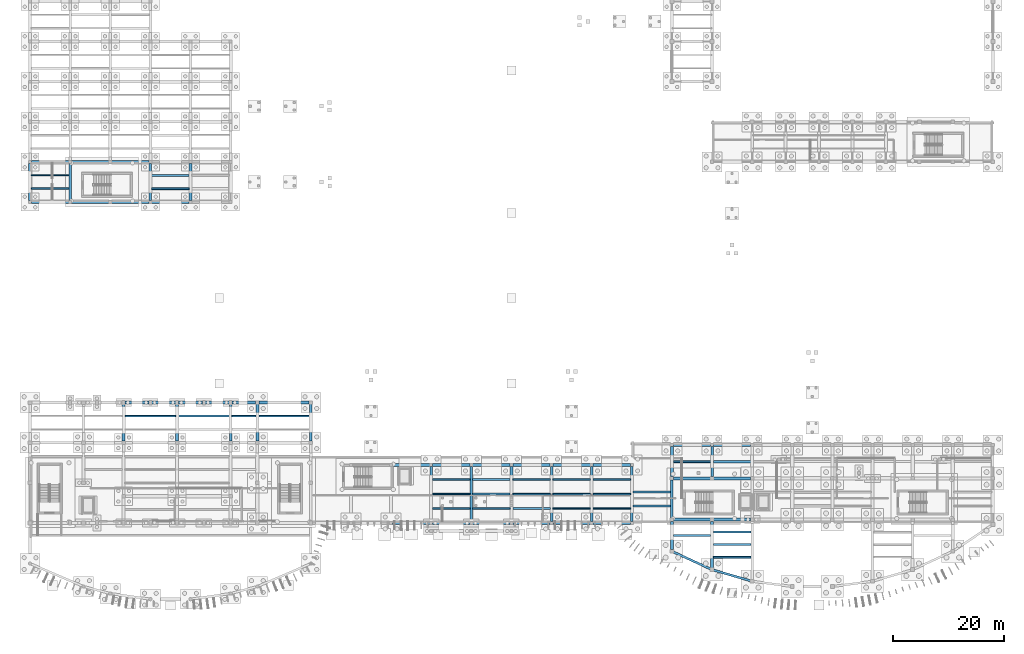
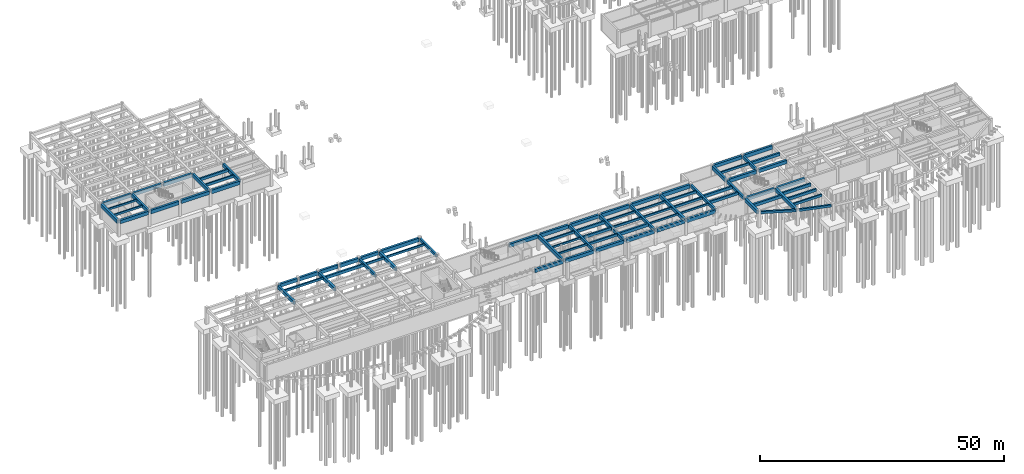
# One storey, part 12 of 31: 84 beams.
"""IFC4 building model written with IfcOpenShell, lengths in metres."""

import ifcopenshell
import ifcopenshell.guid

model = None  # the IFC model being written
_history = None  # IfcOwnerHistory: only IFC2X3 demands one
_inside = {}  # id of a spatial element -> (the spatial element, [elements in it])
_under = {}  # id of a project, library or spatial element -> (it, [spatial elements below it])
_declared = {}  # id of a project -> (the project, [libraries it declares])
_typed = {}  # id of a type object -> (the type object, [elements of that type])
_made_of = {}  # id of a material, layer set ... -> (it, [elements and type objects made of it])


def new_model(schema):
    """Start an empty IFC model of exactly this schema.

    Asked for "IFC4X3", IfcOpenShell would pick the latest addendum, in which some entities
    have other attributes; the version numbers below select the first issue.
    IFC2X3 requires an IfcOwnerHistory on every rooted entity: one is made here for all.
    """
    global model, _history
    if schema == "IFC4X3":
        model = ifcopenshell.file(schema_version=(4, 3, 0, 0))
    else:
        model = ifcopenshell.file(schema=schema)
    _inside.clear()
    _under.clear()
    _declared.clear()
    _typed.clear()
    _made_of.clear()
    _history = None
    if model.schema == "IFC2X3":
        org = make("IfcOrganization", Name="unknown")
        user = make(
            "IfcPersonAndOrganization",
            ThePerson=make("IfcPerson", FamilyName="unknown"),
            TheOrganization=org,
        )
        app = make(
            "IfcApplication",
            ApplicationDeveloper=org,
            Version="unknown",
            ApplicationFullName="unknown",
            ApplicationIdentifier="unknown",
        )
        _history = make(
            "IfcOwnerHistory",
            OwningUser=user,
            OwningApplication=app,
            ChangeAction="ADDED",
            CreationDate=0,
        )
    return model


def make(cls, **values):
    """One entity of the class cls with the attributes given. An attribute that is None is left unset."""
    return model.create_entity(
        cls, **{name: value for name, value in values.items() if value is not None}
    )


def rooted(cls, **values):
    """An entity with a GlobalId (a new one), such as an element, a storey or a relation."""
    return make(cls, GlobalId=ifcopenshell.guid.new(), OwnerHistory=_history, **values)


def si_unit(unit_type, name, prefix=None):
    """IfcSIUnit, for example si_unit("LENGTHUNIT", "METRE", prefix="MILLI")."""
    return make("IfcSIUnit", UnitType=unit_type, Prefix=prefix, Name=name)


def assignment(units):
    """IfcUnitAssignment: the units of a project."""
    return None if units is None else make("IfcUnitAssignment", Units=units)


def point(xyz):
    """IfcCartesianPoint."""
    return None if xyz is None else make("IfcCartesianPoint", Coordinates=xyz)


def direction(xyz):
    """IfcDirection."""
    return None if xyz is None else make("IfcDirection", DirectionRatios=xyz)


def frame(location, z_axis=None, x_axis=None):
    """IfcAxis2Placement3D, a coordinate frame: its origin and axes. An axis left out is left unset."""
    return make(
        "IfcAxis2Placement3D",
        Location=point(location),
        Axis=direction(z_axis),
        RefDirection=direction(x_axis),
    )


def frame_2d(location, x_axis=None):
    """IfcAxis2Placement2D, a coordinate frame in the plane: its origin and x axis."""
    return make(
        "IfcAxis2Placement2D", Location=point(location), RefDirection=direction(x_axis)
    )


def origin():
    """The frame at (0, 0, 0) with its axes left unset."""
    return frame((0.0, 0.0, 0.0))


def origin_2d():
    """The frame at (0, 0) in the plane with its x axis left unset."""
    return frame_2d((0.0, 0.0))


def place(relative_to, where):
    """IfcLocalPlacement: puts the frame where relative to a parent placement (None: the world)."""
    return make(
        "IfcLocalPlacement", PlacementRelTo=relative_to, RelativePlacement=where
    )


def context(
    kind, dimensions, precision=None, world=None, true_north=None, identifier=None
):
    """IfcGeometricRepresentationContext, for example the 3D "Model" context."""
    return make(
        "IfcGeometricRepresentationContext",
        ContextIdentifier=identifier,
        ContextType=kind,
        CoordinateSpaceDimension=dimensions,
        Precision=precision,
        WorldCoordinateSystem=world,
        TrueNorth=true_north,
    )


def subcontext(parent, identifier, kind, view, scale=None):
    """IfcGeometricRepresentationSubContext, for example "Body" below "Model"."""
    return make(
        "IfcGeometricRepresentationSubContext",
        ContextIdentifier=identifier,
        ContextType=kind,
        ParentContext=parent,
        TargetScale=scale,
        TargetView=view,
    )


def project(units=None, contexts=None):
    """IfcProject with its units and contexts."""
    return rooted(
        "IfcProject",
        Name="project",
        RepresentationContexts=contexts,
        UnitsInContext=assignment(units),
    )


def spatial(cls, under=None, at=None, **own):
    """A site, building, storey or space (cls), placed at a placement, below another one or the project."""
    s = rooted(cls, ObjectPlacement=at, **own)
    if under is not None:
        _under.setdefault(under.id(), (under, []))[1].append(s)
    return s


def profile(cls, at=None, kind="AREA", **sizes):
    """A parametric profile (cls). Its sizes go by their IFC names, for example OverallWidth=200.0."""
    return make(cls, ProfileType=kind, Position=at, **sizes)


def rectangle(**sizes):
    """IfcRectangleProfileDef."""
    return profile("IfcRectangleProfileDef", **sizes)


def extrude(swept, where, along, depth):
    """IfcExtrudedAreaSolid: the profile swept, set in the frame where, extruded along a direction by depth."""
    return make(
        "IfcExtrudedAreaSolid",
        SweptArea=swept,
        Position=where,
        ExtrudedDirection=direction(along),
        Depth=depth,
    )


def shape(context_of_items, identifier, shape_type, items):
    """IfcShapeRepresentation: the items that make up one representation, for example the "Body"."""
    return make(
        "IfcShapeRepresentation",
        ContextOfItems=context_of_items,
        RepresentationIdentifier=identifier,
        RepresentationType=shape_type,
        Items=items,
    )


def material(Name=None, Category=None):
    """IfcMaterial."""
    return make("IfcMaterial", Name=Name, Category=Category)


def material_profile(
    of_material, cross_section, Name=None, Category=None, Priority=None
):
    """IfcMaterialProfile: a cross section and its material."""
    return make(
        "IfcMaterialProfile",
        Name=Name,
        Material=of_material,
        Profile=cross_section,
        Priority=Priority,
        Category=Category,
    )


def profile_set(profiles, Name=None, composite=None):
    """IfcMaterialProfileSet."""
    return make(
        "IfcMaterialProfileSet",
        Name=Name,
        MaterialProfiles=profiles,
        CompositeProfile=composite,
    )


def made_of(thing, what):
    """Note that an element or type object is made of a material, layer set ...; save() writes the relation."""
    if what is not None:
        _made_of.setdefault(what.id(), (what, []))[1].append(thing)
    return thing


def type_object(cls, material=None, **own):
    """A type object (cls), such as IfcWallType, which elements share."""
    return made_of(rooted(cls, **own), material)


def element(
    cls,
    number,
    at=None,
    inside=None,
    cuts=None,
    type_object=None,
    material=None,
    context=None,
    identifier="Body",
    shape_type=None,
    held_by="IfcProductDefinitionShape",
    body=None,
    shapes=None,
    **own,
):
    """One element of the class cls, such as IfcWall. Its Tag is "e" and its number.

    at: its placement. inside: the storey or other place that contains it. cuts: it is an
    opening in that element (IfcRelVoidsElement). A single representation is given by context,
    identifier, shape_type and body (its items); several are given by shapes. held_by: the class
    of the entity that holds the representations. save() writes the other relations.
    """
    e = rooted(cls, Tag="e%d" % number, ObjectPlacement=at, **own)
    if body is not None:
        shapes = [shape(context, identifier, shape_type, body)]
    if shapes is not None:
        e.Representation = make(held_by, Representations=shapes)
    if inside is not None:
        _inside.setdefault(inside.id(), (inside, []))[1].append(e)
    if cuts is not None:
        rooted(
            "IfcRelVoidsElement", RelatingBuildingElement=cuts, RelatedOpeningElement=e
        )
    if type_object is not None:
        _typed.setdefault(type_object.id(), (type_object, []))[1].append(e)
    return made_of(e, material)


def aggregate(whole, parts):
    """IfcRelAggregates: a whole, such as a stair, and the parts it consists of."""
    return rooted("IfcRelAggregates", RelatingObject=whole, RelatedObjects=parts)


def save(model, path):
    """Write the relations noted so far, then the file.

    IfcRelAggregates (storeys below a building ...), IfcRelContainedInSpatialStructure (elements
    in a storey), IfcRelDefinesByType, IfcRelAssociatesMaterial and IfcRelDeclares: one each for
    every whole, place, type object, material and project.
    """
    for whole, parts in _under.values():
        aggregate(whole, parts)
    for where, things in _inside.values():
        rooted(
            "IfcRelContainedInSpatialStructure",
            RelatedElements=things,
            RelatingStructure=where,
        )
    for kind, things in _typed.values():
        rooted("IfcRelDefinesByType", RelatedObjects=things, RelatingType=kind)
    for what, things in _made_of.values():
        rooted("IfcRelAssociatesMaterial", RelatedObjects=things, RelatingMaterial=what)
    for by, libraries in _declared.values():
        rooted("IfcRelDeclares", RelatingContext=by, RelatedDefinitions=libraries)
    model.write(path)


model = new_model("IFC4")

# Units and contexts
model_context = context("Model", 3, precision=1e-05, world=origin(), true_north=direction((0.0, 1.0)))
body_context = subcontext(model_context, "Body", "Model", "MODEL_VIEW")
ifc_project = project(units=[si_unit("LENGTHUNIT", "METRE"), si_unit("AREAUNIT", "SQUARE_METRE"), si_unit("VOLUMEUNIT", "CUBIC_METRE"), si_unit("PLANEANGLEUNIT", "RADIAN"), si_unit("MASSUNIT", "GRAM", prefix="KILO")], contexts=[model_context])

# Site, building, storey
site_placement = place(None, origin())
site = spatial("IfcSite", under=ifc_project, at=site_placement, CompositionType="ELEMENT")
building_placement = place(site_placement, origin())
building = spatial("IfcBuilding", under=site, at=building_placement, Name="Brisavento Harbour Community Centre", CompositionType="ELEMENT")
storey_placement = place(building_placement, frame((0.0, 0.0, -4.199951171875)))
storey = spatial("IfcBuildingStorey", under=building, at=storey_placement, Name="B1", CompositionType="ELEMENT", Elevation=-4.199951171875)

# Beams
ifc_material = material(Name="Concrete C35/45", Category="concrete")
ifc_material_profile_1 = material_profile(ifc_material, rectangle(XDim=0.25, YDim=0.449951171875, at=origin_2d()), Name="Concrete C35/45")
ifc_profile_set_1 = profile_set([ifc_material_profile_1], Name="Concrete C35/45")
beam_type_1 = type_object("IfcBeamType", Name="BM-JST-250x450", PredefinedType="JOIST", material=ifc_profile_set_1)
beam_1_placement = place(storey_placement, frame((93.824951171875, 17.0, 3.695068359375), z_axis=(1.0, 0.0, 0.0), x_axis=(0.0, 1.0, 0.0)))
element("IfcBeam", 1, at=beam_1_placement, inside=storey, type_object=beam_type_1, Name="B1 secondary floor joist 0079", PredefinedType="JOIST", context=body_context, shape_type="SweptSolid", body=[
    extrude(rectangle(XDim=0.25, YDim=0.449951171875, at=origin_2d()), origin(), (0.0, 0.0, 1.0), 6.72509765625),
])
ifc_material_profile_2 = material_profile(ifc_material, rectangle(XDim=0.260009765625, YDim=0.4599609375, at=origin_2d()), Name="Concrete C35/45")
ifc_profile_set_2 = profile_set([ifc_material_profile_2], Name="Concrete C35/45")
beam_type_2 = type_object("IfcBeamType", Name="BM-JST-260x460", PredefinedType="JOIST", material=ifc_profile_set_2)
for number, where, z_axis, x_axis, name in (
    (2, (0.25, 76.800048828125, 3.68994140625), (1.0, 0.0, 0.0), (0.0, 1.0, 0.0), "B1 secondary floor joist 0005"),
    (3, (72.25, 19.60009765625, 3.68994140625), (1.0, 0.0, 0.0), (0.0, 1.0, 0.0), "B1 secondary floor joist 0071"),
):
    element("IfcBeam", number, at=place(storey_placement, frame(where, z_axis=z_axis, x_axis=x_axis)), inside=storey, type_object=beam_type_2, Name=name, PredefinedType="JOIST", context=body_context, shape_type="SweptSolid", body=[
        extrude(rectangle(XDim=0.260009765625, YDim=0.4599609375, at=origin_2d()), origin(), (0.0, 0.0, 1.0), 6.72509765625),
    ])
beam_2_placement = place(storey_placement, frame((101.050048828125, 17.0, 3.68994140625), z_axis=(1.0, 0.0, 0.0), x_axis=(0.0, 1.0, 0.0)))
element("IfcBeam", 4, at=beam_2_placement, inside=storey, type_object=beam_type_2, Name="B1 secondary floor joist 0082", PredefinedType="JOIST", context=body_context, shape_type="SweptSolid", body=[
    extrude(rectangle(XDim=0.260009765625, YDim=0.4599609375, at=origin_2d()), origin(), (0.0, 0.0, 1.0), 6.724853515625),
])
ifc_material_profile_3 = material_profile(ifc_material, rectangle(XDim=0.280029296875, YDim=0.47998046875, at=origin_2d()), Name="Concrete C35/45")
ifc_profile_set_3 = profile_set([ifc_material_profile_3], Name="Concrete C35/45")
beam_type_3 = type_object("IfcBeamType", Name="BM-JST-280x480", PredefinedType="JOIST", material=ifc_profile_set_3)
for number, where, z_axis, x_axis, name in (
    (5, (0.25, 74.39990234375, 3.679931640625), (1.0, 0.0, 0.0), (0.0, 1.0, 0.0), "B1 secondary floor joist 0004"),
    (6, (72.25, 17.0, 3.679931640625), (1.0, 0.0, 0.0), (0.0, 1.0, 0.0), "B1 secondary floor joist 0070"),
    (7, (93.824951171875, 22.199951171875, 3.679931640625), (1.0, 0.0, 0.0), (0.0, 1.0, 0.0), "B1 secondary floor joist 0081"),
):
    element("IfcBeam", number, at=place(storey_placement, frame(where, z_axis=z_axis, x_axis=x_axis)), inside=storey, type_object=beam_type_3, Name=name, PredefinedType="JOIST", context=body_context, shape_type="SweptSolid", body=[
        extrude(rectangle(XDim=0.280029296875, YDim=0.47998046875, at=origin_2d()), origin(), (0.0, 0.0, 1.0), 6.72509765625),
    ])
ifc_material_profile_4 = material_profile(ifc_material, rectangle(XDim=0.280029296875, YDim=0.52001953125, at=origin_2d()), Name="Concrete C35/45")
ifc_profile_set_4 = profile_set([ifc_material_profile_4], Name="Concrete C35/45")
beam_type_4 = type_object("IfcBeamType", Name="BM-JST-280x520", PredefinedType="JOIST", material=ifc_profile_set_4)
beam_3_placement = place(storey_placement, frame((41.050048828125, 33.60009765625, 3.659912109375), z_axis=(1.0, 0.0, 0.0), x_axis=(0.0, 1.0, 0.0)))
element("IfcBeam", 8, at=beam_3_placement, inside=storey, type_object=beam_type_4, Name="B1 secondary floor joist 0069", PredefinedType="JOIST", context=body_context, shape_type="SweptSolid", body=[
    extrude(rectangle(XDim=0.280029296875, YDim=0.52001953125, at=origin_2d()), origin(), (0.0, 0.0, 1.0), 9.125),
])
beam_4_placement = place(storey_placement, frame((93.824951171875, 19.60009765625, 3.659912109375), z_axis=(1.0, 0.0, 0.0), x_axis=(0.0, 1.0, 0.0)))
element("IfcBeam", 9, at=beam_4_placement, inside=storey, type_object=beam_type_4, Name="B1 secondary floor joist 0080", PredefinedType="JOIST", context=body_context, shape_type="SweptSolid", body=[
    extrude(rectangle(XDim=0.280029296875, YDim=0.52001953125, at=origin_2d()), origin(), (0.0, 0.0, 1.0), 6.72509765625),
])
ifc_material_profile_5 = material_profile(ifc_material, rectangle(XDim=0.300048828125, YDim=0.5, at=origin_2d()), Name="Concrete C35/45")
ifc_profile_set_5 = profile_set([ifc_material_profile_5], Name="Concrete C35/45")
beam_type_5 = type_object("IfcBeamType", Name="BM-JST-300x500", PredefinedType="JOIST", material=ifc_profile_set_5)
beam_5_placement = place(storey_placement, frame((86.64990234375, 22.199951171875, 3.669921875), z_axis=(1.0, 0.0, 0.0), x_axis=(0.0, 1.0, 0.0)))
element("IfcBeam", 10, at=beam_5_placement, inside=storey, type_object=beam_type_5, Name="B1 secondary floor joist 0078", PredefinedType="JOIST", context=body_context, shape_type="SweptSolid", body=[
    extrude(rectangle(XDim=0.300048828125, YDim=0.5, at=origin_2d()), origin(), (0.0, 0.0, 1.0), 6.72509765625),
])
ifc_material_profile_6 = material_profile(ifc_material, rectangle(XDim=0.300048828125, YDim=0.550048828125, at=origin_2d()), Name="Concrete C35/45")
ifc_profile_set_6 = profile_set([ifc_material_profile_6], Name="Concrete C35/45")
beam_type_6 = type_object("IfcBeamType", Name="BM-JST-300x550", PredefinedType="JOIST", material=ifc_profile_set_6)
beam_6_placement = place(storey_placement, frame((36.22509765625, 33.60009765625, 3.64501953125), z_axis=(1.0, 0.0, 0.0), x_axis=(0.0, 1.0, 0.0)))
element("IfcBeam", 11, at=beam_6_placement, inside=storey, type_object=beam_type_6, Name="B1 secondary floor joist 0066", PredefinedType="JOIST", context=body_context, shape_type="SweptSolid", body=[
    extrude(rectangle(XDim=0.300048828125, YDim=0.550048828125, at=origin_2d()), origin(), (0.0, 0.0, 1.0), 4.324951171875),
])
for number, where, z_axis, x_axis, name in (
    (12, (86.64990234375, 19.60009765625, 3.64501953125), (1.0, 0.0, 0.0), (0.0, 1.0, 0.0), "B1 secondary floor joist 0077"),
    (13, (115.449951171875, 25.39990234375, 3.64501953125), (1.0, 0.0, 0.0), (0.0, 1.0, 0.0), "B1 secondary floor joist 0088"),
):
    element("IfcBeam", number, at=place(storey_placement, frame(where, z_axis=z_axis, x_axis=x_axis)), inside=storey, type_object=beam_type_6, Name=name, PredefinedType="JOIST", context=body_context, shape_type="SweptSolid", body=[
        extrude(rectangle(XDim=0.300048828125, YDim=0.550048828125, at=origin_2d()), origin(), (0.0, 0.0, 1.0), 6.72509765625),
    ])
ifc_material_profile_7 = material_profile(ifc_material, rectangle(XDim=0.320068359375, YDim=0.56005859375, at=origin_2d()), Name="Concrete C35/45")
ifc_profile_set_7 = profile_set([ifc_material_profile_7], Name="Concrete C35/45")
beam_type_7 = type_object("IfcBeamType", Name="BM-JST-320x560", PredefinedType="JOIST", material=ifc_profile_set_7)
beam_7_placement = place(storey_placement, frame((17.050048828125, 33.60009765625, 3.639892578125), z_axis=(1.0, 0.0, 0.0), x_axis=(0.0, 1.0, 0.0)))
element("IfcBeam", 14, at=beam_7_placement, inside=storey, type_object=beam_type_7, Name="B1 secondary floor joist 0039", PredefinedType="JOIST", context=body_context, shape_type="SweptSolid", body=[
    extrude(rectangle(XDim=0.320068359375, YDim=0.56005859375, at=origin_2d()), origin(), (0.0, 0.0, 1.0), 9.099853515625),
])
beam_8_placement = place(storey_placement, frame((72.25, 22.199951171875, 3.639892578125), z_axis=(1.0, 0.0, 0.0), x_axis=(0.0, 1.0, 0.0)))
element("IfcBeam", 15, at=beam_8_placement, inside=storey, type_object=beam_type_7, Name="B1 secondary floor joist 0072", PredefinedType="JOIST", context=body_context, shape_type="SweptSolid", body=[
    extrude(rectangle(XDim=0.320068359375, YDim=0.56005859375, at=origin_2d()), origin(), (0.0, 0.0, 1.0), 6.72509765625),
])
beam_9_placement = place(storey_placement, frame((101.050048828125, 19.60009765625, 3.639892578125), z_axis=(1.0, 0.0, 0.0), x_axis=(0.0, 1.0, 0.0)))
element("IfcBeam", 16, at=beam_9_placement, inside=storey, type_object=beam_type_7, Name="B1 secondary floor joist 0083", PredefinedType="JOIST", context=body_context, shape_type="SweptSolid", body=[
    extrude(rectangle(XDim=0.320068359375, YDim=0.56005859375, at=origin_2d()), origin(), (0.0, 0.0, 1.0), 6.724853515625),
])
ifc_material_profile_8 = material_profile(ifc_material, rectangle(XDim=0.320068359375, YDim=0.6201171875, at=origin_2d()), Name="Concrete C35/45")
ifc_profile_set_8 = profile_set([ifc_material_profile_8], Name="Concrete C35/45")
beam_type_8 = type_object("IfcBeamType", Name="BM-JST-320x620", PredefinedType="JOIST", material=ifc_profile_set_8)
beam_10_placement = place(storey_placement, frame((21.824951171875, 74.39990234375, 3.60986328125), z_axis=(1.0, 0.0, 0.0), x_axis=(0.0, 1.0, 0.0)))
element("IfcBeam", 17, at=beam_10_placement, inside=storey, type_object=beam_type_8, Name="B1 secondary floor joist 0040", PredefinedType="JOIST", context=body_context, shape_type="SweptSolid", body=[
    extrude(rectangle(XDim=0.320068359375, YDim=0.6201171875, at=origin_2d()), origin(), (0.0, 0.0, 1.0), 6.75),
])
for number, where, z_axis, x_axis, name in (
    (18, (79.425048828125, 17.0, 3.60986328125), (1.0, 0.0, 0.0), (0.0, 1.0, 0.0), "B1 secondary floor joist 0073"),
    (19, (101.050048828125, 22.199951171875, 3.60986328125), (1.0, 0.0, 0.0), (0.0, 1.0, 0.0), "B1 secondary floor joist 0084"),
):
    element("IfcBeam", number, at=place(storey_placement, frame(where, z_axis=z_axis, x_axis=x_axis)), inside=storey, type_object=beam_type_8, Name=name, PredefinedType="JOIST", context=body_context, shape_type="SweptSolid", body=[
        extrude(rectangle(XDim=0.320068359375, YDim=0.6201171875, at=origin_2d()), origin(), (0.0, 0.0, 1.0), 6.724853515625),
    ])
beam_11_placement = place(storey_placement, frame((122.64990234375, 8.26123046875, 3.60986328125), z_axis=(1.0, 0.0, 0.0), x_axis=(0.0, 1.0, 0.0)))
element("IfcBeam", 20, at=beam_11_placement, inside=storey, type_object=beam_type_8, Name="B1 secondary floor joist 0095", PredefinedType="JOIST", context=body_context, shape_type="SweptSolid", body=[
    extrude(rectangle(XDim=0.320068359375, YDim=0.6201171875, at=origin_2d()), origin(), (0.0, 0.0, 1.0), 6.72509765625),
])
ifc_material_profile_9 = material_profile(ifc_material, rectangle(XDim=0.360107421875, YDim=0.679931640625, at=origin_2d()), Name="Concrete C35/45")
ifc_profile_set_9 = profile_set([ifc_material_profile_9], Name="Concrete C35/45")
beam_type_9 = type_object("IfcBeamType", Name="BM-JST-360x680", PredefinedType="JOIST", material=ifc_profile_set_9)
beam_12_placement = place(storey_placement, frame((21.824951171875, 76.800048828125, 3.579833984375), z_axis=(1.0, 0.0, 0.0), x_axis=(0.0, 1.0, 0.0)))
element("IfcBeam", 21, at=beam_12_placement, inside=storey, type_object=beam_type_9, Name="B1 secondary floor joist 0041", PredefinedType="JOIST", context=body_context, shape_type="SweptSolid", body=[
    extrude(rectangle(XDim=0.360107421875, YDim=0.679931640625, at=origin_2d()), origin(), (0.0, 0.0, 1.0), 6.75),
])
beam_13_placement = place(storey_placement, frame((79.425048828125, 19.60009765625, 3.579833984375), z_axis=(1.0, 0.0, 0.0), x_axis=(0.0, 1.0, 0.0)))
element("IfcBeam", 22, at=beam_13_placement, inside=storey, type_object=beam_type_9, Name="B1 secondary floor joist 0074", PredefinedType="JOIST", context=body_context, shape_type="SweptSolid", body=[
    extrude(rectangle(XDim=0.360107421875, YDim=0.679931640625, at=origin_2d()), origin(), (0.0, 0.0, 1.0), 6.724853515625),
])
beam_14_placement = place(storey_placement, frame((108.22509765625, 17.466796875, 3.579833984375), z_axis=(1.0, 0.0, 0.0), x_axis=(0.0, 1.0, 0.0)))
element("IfcBeam", 23, at=beam_14_placement, inside=storey, type_object=beam_type_9, Name="B1 secondary floor joist 0085", PredefinedType="JOIST", context=body_context, shape_type="SweptSolid", body=[
    extrude(rectangle(XDim=0.360107421875, YDim=0.679931640625, at=origin_2d()), origin(), (0.0, 0.0, 1.0), 6.75),
])
beam_15_placement = place(storey_placement, frame((122.64990234375, 10.507568359375, 3.579833984375), z_axis=(1.0, 0.0, 0.0), x_axis=(0.0, 1.0, 0.0)))
element("IfcBeam", 24, at=beam_15_placement, inside=storey, type_object=beam_type_9, Name="B1 secondary floor joist 0096", PredefinedType="JOIST", context=body_context, shape_type="SweptSolid", body=[
    extrude(rectangle(XDim=0.360107421875, YDim=0.679931640625, at=origin_2d()), origin(), (0.0, 0.0, 1.0), 6.72509765625),
])
ifc_material_profile_10 = material_profile(ifc_material, rectangle(XDim=0.3798828125, YDim=0.719970703125, at=origin_2d()), Name="Concrete C35/45")
ifc_profile_set_10 = profile_set([ifc_material_profile_10], Name="Concrete C35/45")
beam_type_10 = type_object("IfcBeamType", Name="BM-JST-380x720", PredefinedType="JOIST", material=ifc_profile_set_10)
beam_16_placement = place(storey_placement, frame((26.64990234375, 33.60009765625, 3.56005859375), z_axis=(1.0, 0.0, 0.0), x_axis=(0.0, 1.0, 0.0)))
element("IfcBeam", 25, at=beam_16_placement, inside=storey, type_object=beam_type_10, Name="B1 secondary floor joist 0053", PredefinedType="JOIST", context=body_context, shape_type="SweptSolid", body=[
    extrude(rectangle(XDim=0.3798828125, YDim=0.719970703125, at=origin_2d()), origin(), (0.0, 0.0, 1.0), 9.125),
])
beam_17_placement = place(storey_placement, frame((79.425048828125, 22.199951171875, 3.56005859375), z_axis=(1.0, 0.0, 0.0), x_axis=(0.0, 1.0, 0.0)))
element("IfcBeam", 26, at=beam_17_placement, inside=storey, type_object=beam_type_10, Name="B1 secondary floor joist 0075", PredefinedType="JOIST", context=body_context, shape_type="SweptSolid", body=[
    extrude(rectangle(XDim=0.3798828125, YDim=0.719970703125, at=origin_2d()), origin(), (0.0, 0.0, 1.0), 6.724853515625),
])
beam_18_placement = place(storey_placement, frame((108.22509765625, 19.933349609375, 3.56005859375), z_axis=(1.0, 0.0, 0.0), x_axis=(0.0, 1.0, 0.0)))
element("IfcBeam", 27, at=beam_18_placement, inside=storey, type_object=beam_type_10, Name="B1 secondary floor joist 0086", PredefinedType="JOIST", context=body_context, shape_type="SweptSolid", body=[
    extrude(rectangle(XDim=0.3798828125, YDim=0.719970703125, at=origin_2d()), origin(), (0.0, 0.0, 1.0), 6.75),
])
beam_19_placement = place(storey_placement, frame((122.64990234375, 12.75390625, 3.56005859375), z_axis=(1.0, 0.0, 0.0), x_axis=(0.0, 1.0, 0.0)))
element("IfcBeam", 28, at=beam_19_placement, inside=storey, type_object=beam_type_10, Name="B1 secondary floor joist 0097", PredefinedType="JOIST", context=body_context, shape_type="SweptSolid", body=[
    extrude(rectangle(XDim=0.3798828125, YDim=0.719970703125, at=origin_2d()), origin(), (0.0, 0.0, 1.0), 6.72509765625),
])
ifc_material_profile_11 = material_profile(ifc_material, rectangle(XDim=0.419921875, YDim=0.760009765625, at=origin_2d()), Name="Concrete C35/45")
ifc_profile_set_11 = profile_set([ifc_material_profile_11], Name="Concrete C35/45")
beam_type_11 = type_object("IfcBeamType", Name="BM-JST-420x760", PredefinedType="JOIST", material=ifc_profile_set_11)
beam_20_placement = place(storey_placement, frame((86.64990234375, 17.0, 3.5400390625), z_axis=(1.0, 0.0, 0.0), x_axis=(0.0, 1.0, 0.0)))
element("IfcBeam", 29, at=beam_20_placement, inside=storey, type_object=beam_type_11, Name="B1 secondary floor joist 0076", PredefinedType="JOIST", context=body_context, shape_type="SweptSolid", body=[
    extrude(rectangle(XDim=0.419921875, YDim=0.760009765625, at=origin_2d()), origin(), (0.0, 0.0, 1.0), 6.72509765625),
])
beam_21_placement = place(storey_placement, frame((115.449951171875, 12.156982421875, 3.5400390625), z_axis=(1.0, 0.0, 0.0), x_axis=(0.0, 1.0, 0.0)))
element("IfcBeam", 30, at=beam_21_placement, inside=storey, type_object=beam_type_11, Name="B1 secondary floor joist 0087", PredefinedType="JOIST", context=body_context, shape_type="SweptSolid", body=[
    extrude(rectangle(XDim=0.419921875, YDim=0.760009765625, at=origin_2d()), origin(), (0.0, 0.0, 1.0), 6.699951171875),
])
beam_22_placement = place(storey_placement, frame((122.625, 25.39990234375, 3.5400390625), z_axis=(1.0, 0.0, 0.0), x_axis=(0.0, 1.0, 0.0)))
element("IfcBeam", 31, at=beam_22_placement, inside=storey, type_object=beam_type_11, Name="B1 secondary floor joist 0098", PredefinedType="JOIST", context=body_context, shape_type="SweptSolid", body=[
    extrude(rectangle(XDim=0.419921875, YDim=0.760009765625, at=origin_2d()), origin(), (0.0, 0.0, 1.0), 6.75),
])
ifc_material_profile_12 = material_profile(ifc_material, rectangle(XDim=0.449951171875, YDim=0.800048828125, at=origin_2d()), Name="Concrete C35/45")
ifc_profile_set_12 = profile_set([ifc_material_profile_12], Name="Concrete C35/45")
beam_type_12 = type_object("IfcBeamType", Name="BM-RC-450x800", PredefinedType="BEAM", material=ifc_profile_set_12)
for number, where, z_axis, x_axis, name in (
    (32, (7.199951171875, 72.2451171875, 3.52001953125), (0.0, 1.0, 0.0), (-1.0, 0.0, 0.0), "B1 primary girder Y0129"),
    (33, (21.60009765625, 72.2451171875, 3.52001953125), (0.0, 1.0, 0.0), (-1.0, 0.0, 0.0), "B1 primary girder Y0143"),
    (34, (28.800048828125, 72.2451171875, 3.52001953125), (0.0, 1.0, 0.0), (-1.0, 0.0, 0.0), "B1 primary girder Y0151"),
):
    element("IfcBeam", number, at=place(storey_placement, frame(where, z_axis=z_axis, x_axis=x_axis)), inside=storey, type_object=beam_type_12, Name=name, PredefinedType="BEAM", context=body_context, shape_type="SweptSolid", body=[
        extrude(rectangle(XDim=0.449951171875, YDim=0.800048828125, at=origin_2d()), origin(), (0.0, 0.0, 1.0), 6.7099609375),
    ])
beam_23_placement = place(storey_placement, frame((36.0, 29.070068359375, 3.52001953125), z_axis=(0.0, 1.0, 0.0), x_axis=(-1.0, 0.0, 0.0)))
element("IfcBeam", 35, at=beam_23_placement, inside=storey, type_object=beam_type_12, Name="B1 primary girder Y0157", PredefinedType="BEAM", context=body_context, shape_type="SweptSolid", body=[
    extrude(rectangle(XDim=0.449951171875, YDim=0.800048828125, at=origin_2d()), origin(), (0.0, 0.0, 1.0), 6.559814453125),
])
beam_24_placement = place(storey_placement, frame((50.39990234375, 29.094970703125, 3.52001953125), z_axis=(0.0, 1.0, 0.0), x_axis=(-1.0, 0.0, 0.0)))
element("IfcBeam", 36, at=beam_24_placement, inside=storey, type_object=beam_type_12, Name="B1 primary girder Y0167", PredefinedType="BEAM", context=body_context, shape_type="SweptSolid", body=[
    extrude(rectangle(XDim=0.449951171875, YDim=0.800048828125, at=origin_2d()), origin(), (0.0, 0.0, 1.0), 6.610107421875),
])
for number, where, z_axis, x_axis, name in (
    (37, (79.199951171875, 14.64501953125, 3.52001953125), (0.0, 1.0, 0.0), (-1.0, 0.0, 0.0), "B1 primary girder Y0169"),
    (38, (93.60009765625, 14.64501953125, 3.52001953125), (0.0, 1.0, 0.0), (-1.0, 0.0, 0.0), "B1 primary girder Y0171"),
    (39, (108.0, 14.64501953125, 3.52001953125), (0.0, 1.0, 0.0), (-1.0, 0.0, 0.0), "B1 primary girder Y0173"),
):
    element("IfcBeam", number, at=place(storey_placement, frame(where, z_axis=z_axis, x_axis=x_axis)), inside=storey, type_object=beam_type_12, Name=name, PredefinedType="BEAM", context=body_context, shape_type="SweptSolid", body=[
        extrude(rectangle(XDim=0.449951171875, YDim=0.800048828125, at=origin_2d()), origin(), (0.0, 0.0, 1.0), 9.909912109375),
    ])
beam_25_placement = place(storey_placement, frame((115.199951171875, 15.294921875, 3.52001953125), z_axis=(0.0, 1.0, 0.0), x_axis=(-1.0, 0.0, 0.0)))
element("IfcBeam", 40, at=beam_25_placement, inside=storey, type_object=beam_type_12, Name="B1 primary girder Y0175", PredefinedType="BEAM", context=body_context, shape_type="SweptSolid", body=[
    extrude(rectangle(XDim=0.449951171875, YDim=0.800048828125, at=origin_2d()), origin(), (0.0, 0.0, 1.0), 6.81005859375),
])
beam_26_placement = place(storey_placement, frame((122.39990234375, 22.695068359375, 3.52001953125), z_axis=(0.0, 1.0, 0.0), x_axis=(-1.0, 0.0, 0.0)))
element("IfcBeam", 41, at=beam_26_placement, inside=storey, type_object=beam_type_12, Name="B1 primary girder Y0181", PredefinedType="BEAM", context=body_context, shape_type="SweptSolid", body=[
    extrude(rectangle(XDim=0.449951171875, YDim=0.800048828125, at=origin_2d()), origin(), (0.0, 0.0, 1.0), 5.434814453125),
])
ifc_material_profile_13 = material_profile(ifc_material, rectangle(XDim=0.5, YDim=0.85009765625, at=origin_2d()), Name="Concrete C35/45")
ifc_profile_set_13 = profile_set([ifc_material_profile_13], Name="Concrete C35/45")
beam_type_13 = type_object("IfcBeamType", Name="BM-RC-500x850", PredefinedType="BEAM", material=ifc_profile_set_13)
for number, where, z_axis, x_axis, name in (
    (42, (65.044921875, 14.39990234375, 3.494873046875), (1.0, 0.0, 0.0), (0.0, 1.0, 0.0), "B1 primary girder X0013"),
    (43, (79.445068359375, 14.39990234375, 3.494873046875), (1.0, 0.0, 0.0), (0.0, 1.0, 0.0), "B1 primary girder X0015"),
    (44, (93.844970703125, 14.39990234375, 3.494873046875), (1.0, 0.0, 0.0), (0.0, 1.0, 0.0), "B1 primary girder X0017"),
):
    element("IfcBeam", number, at=place(storey_placement, frame(where, z_axis=z_axis, x_axis=x_axis)), inside=storey, type_object=beam_type_13, Name=name, PredefinedType="BEAM", context=body_context, shape_type="SweptSolid", body=[
        extrude(rectangle(XDim=0.5, YDim=0.85009765625, at=origin_2d()), origin(), (0.0, 0.0, 1.0), 6.7099609375),
    ])
for number, where, z_axis, x_axis, name in (
    (45, (115.4951171875, 15.0, 3.494873046875), (1.0, 0.0, 0.0), (0.0, 1.0, 0.0), "B1 primary girder X0019"),
    (46, (122.695068359375, 22.39990234375, 3.494873046875), (1.0, 0.0, 0.0), (0.0, 1.0, 0.0), "B1 primary girder X0029"),
):
    element("IfcBeam", number, at=place(storey_placement, frame(where, z_axis=z_axis, x_axis=x_axis)), inside=storey, type_object=beam_type_13, Name=name, PredefinedType="BEAM", context=body_context, shape_type="SweptSolid", body=[
        extrude(rectangle(XDim=0.5, YDim=0.85009765625, at=origin_2d()), origin(), (0.0, 0.0, 1.0), 6.60986328125),
    ])
for number, where, z_axis, x_axis, name in (
    (47, (65.044921875, 24.800048828125, 3.494873046875), (1.0, 0.0, 0.0), (0.0, 1.0, 0.0), "B1 primary girder X0037"),
    (48, (79.445068359375, 24.800048828125, 3.494873046875), (1.0, 0.0, 0.0), (0.0, 1.0, 0.0), "B1 primary girder X0039"),
    (49, (93.844970703125, 24.800048828125, 3.494873046875), (1.0, 0.0, 0.0), (0.0, 1.0, 0.0), "B1 primary girder X0041"),
):
    element("IfcBeam", number, at=place(storey_placement, frame(where, z_axis=z_axis, x_axis=x_axis)), inside=storey, type_object=beam_type_13, Name=name, PredefinedType="BEAM", context=body_context, shape_type="SweptSolid", body=[
        extrude(rectangle(XDim=0.5, YDim=0.85009765625, at=origin_2d()), origin(), (0.0, 0.0, 1.0), 6.7099609375),
    ])
beam_27_placement = place(storey_placement, frame((115.469970703125, 28.39990234375, 3.494873046875), z_axis=(1.0, 0.0, 0.0), x_axis=(0.0, 1.0, 0.0)))
element("IfcBeam", 50, at=beam_27_placement, inside=storey, type_object=beam_type_13, Name="B1 primary girder X0043", PredefinedType="BEAM", context=body_context, shape_type="SweptSolid", body=[
    extrude(rectangle(XDim=0.5, YDim=0.85009765625, at=origin_2d()), origin(), (0.0, 0.0, 1.0), 6.659912109375),
])
for number, where, z_axis, x_axis, name in (
    (51, (17.044921875, 36.0, 3.494873046875), (1.0, 0.0, 0.0), (0.0, 1.0, 0.0), "B1 primary girder X0061"),
    (52, (26.64501953125, 36.0, 3.494873046875), (1.0, 0.0, 0.0), (0.0, 1.0, 0.0), "B1 primary girder X0063"),
):
    element("IfcBeam", number, at=place(storey_placement, frame(where, z_axis=z_axis, x_axis=x_axis)), inside=storey, type_object=beam_type_13, Name=name, PredefinedType="BEAM", context=body_context, shape_type="SweptSolid", body=[
        extrude(rectangle(XDim=0.5, YDim=0.85009765625, at=origin_2d()), origin(), (0.0, 0.0, 1.0), 4.31005859375),
    ])
beam_28_placement = place(storey_placement, frame((36.2451171875, 36.0, 3.494873046875), z_axis=(1.0, 0.0, 0.0), x_axis=(0.0, 1.0, 0.0)))
element("IfcBeam", 53, at=beam_28_placement, inside=storey, type_object=beam_type_13, Name="B1 primary girder X0065", PredefinedType="BEAM", context=body_context, shape_type="SweptSolid", body=[
    extrude(rectangle(XDim=0.5, YDim=0.85009765625, at=origin_2d()), origin(), (0.0, 0.0, 1.0), 4.259765625),
])
for number, where, z_axis, x_axis, name in (
    (54, (0.2451171875, 72.0, 3.494873046875), (1.0, 0.0, 0.0), (0.0, 1.0, 0.0), "B1 primary girder X0067"),
    (55, (14.64501953125, 72.0, 3.494873046875), (1.0, 0.0, 0.0), (0.0, 1.0, 0.0), "B1 primary girder X0069"),
    (56, (7.445068359375, 79.199951171875, 3.494873046875), (1.0, 0.0, 0.0), (0.0, 1.0, 0.0), "B1 primary girder X0073"),
):
    element("IfcBeam", number, at=place(storey_placement, frame(where, z_axis=z_axis, x_axis=x_axis)), inside=storey, type_object=beam_type_13, Name=name, PredefinedType="BEAM", context=body_context, shape_type="SweptSolid", body=[
        extrude(rectangle(XDim=0.5, YDim=0.85009765625, at=origin_2d()), origin(), (0.0, 0.0, 1.0), 6.7099609375),
    ])
ifc_material_profile_14 = material_profile(ifc_material, rectangle(XDim=0.5, YDim=0.89990234375, at=origin_2d()), Name="Concrete C35/45")
ifc_profile_set_14 = profile_set([ifc_material_profile_14], Name="Concrete C35/45")
beam_type_14 = type_object("IfcBeamType", Name="BM-RC-500x900", PredefinedType="BEAM", material=ifc_profile_set_14)
for number, where, z_axis, x_axis, name in (
    (57, (72.2451171875, 14.39990234375, 3.469970703125), (1.0, 0.0, 0.0), (0.0, 1.0, 0.0), "B1 primary girder X0014"),
    (58, (86.64501953125, 14.39990234375, 3.469970703125), (1.0, 0.0, 0.0), (0.0, 1.0, 0.0), "B1 primary girder X0016"),
    (59, (101.044921875, 14.39990234375, 3.469970703125), (1.0, 0.0, 0.0), (0.0, 1.0, 0.0), "B1 primary girder X0018"),
):
    element("IfcBeam", number, at=place(storey_placement, frame(where, z_axis=z_axis, x_axis=x_axis)), inside=storey, type_object=beam_type_14, Name=name, PredefinedType="BEAM", context=body_context, shape_type="SweptSolid", body=[
        extrude(rectangle(XDim=0.5, YDim=0.89990234375, at=origin_2d()), origin(), (0.0, 0.0, 1.0), 6.7099609375),
    ])
for number, where, z_axis, x_axis, name in (
    (60, (122.695068359375, 15.0, 3.469970703125), (1.0, 0.0, 0.0), (0.0, 1.0, 0.0), "B1 primary girder X0020"),
    (61, (115.4951171875, 22.39990234375, 3.469970703125), (1.0, 0.0, 0.0), (0.0, 1.0, 0.0), "B1 primary girder X0028"),
):
    element("IfcBeam", number, at=place(storey_placement, frame(where, z_axis=z_axis, x_axis=x_axis)), inside=storey, type_object=beam_type_14, Name=name, PredefinedType="BEAM", context=body_context, shape_type="SweptSolid", body=[
        extrude(rectangle(XDim=0.5, YDim=0.89990234375, at=origin_2d()), origin(), (0.0, 0.0, 1.0), 6.60986328125),
    ])
for number, where, z_axis, x_axis, name in (
    (62, (72.2451171875, 24.800048828125, 3.469970703125), (1.0, 0.0, 0.0), (0.0, 1.0, 0.0), "B1 primary girder X0038"),
    (63, (86.64501953125, 24.800048828125, 3.469970703125), (1.0, 0.0, 0.0), (0.0, 1.0, 0.0), "B1 primary girder X0040"),
    (64, (101.044921875, 24.800048828125, 3.469970703125), (1.0, 0.0, 0.0), (0.0, 1.0, 0.0), "B1 primary girder X0042"),
):
    element("IfcBeam", number, at=place(storey_placement, frame(where, z_axis=z_axis, x_axis=x_axis)), inside=storey, type_object=beam_type_14, Name=name, PredefinedType="BEAM", context=body_context, shape_type="SweptSolid", body=[
        extrude(rectangle(XDim=0.5, YDim=0.89990234375, at=origin_2d()), origin(), (0.0, 0.0, 1.0), 6.7099609375),
    ])
beam_29_placement = place(storey_placement, frame((122.669921875, 28.39990234375, 3.469970703125), z_axis=(1.0, 0.0, 0.0), x_axis=(0.0, 1.0, 0.0)))
element("IfcBeam", 65, at=beam_29_placement, inside=storey, type_object=beam_type_14, Name="B1 primary girder X0044", PredefinedType="BEAM", context=body_context, shape_type="SweptSolid", body=[
    extrude(rectangle(XDim=0.5, YDim=0.89990234375, at=origin_2d()), origin(), (0.0, 0.0, 1.0), 6.66015625),
])
beam_30_placement = place(storey_placement, frame((21.844970703125, 36.0, 3.469970703125), z_axis=(1.0, 0.0, 0.0), x_axis=(0.0, 1.0, 0.0)))
element("IfcBeam", 66, at=beam_30_placement, inside=storey, type_object=beam_type_14, Name="B1 primary girder X0062", PredefinedType="BEAM", context=body_context, shape_type="SweptSolid", body=[
    extrude(rectangle(XDim=0.5, YDim=0.89990234375, at=origin_2d()), origin(), (0.0, 0.0, 1.0), 4.31005859375),
])
beam_31_placement = place(storey_placement, frame((31.445068359375, 36.0, 3.469970703125), z_axis=(1.0, 0.0, 0.0), x_axis=(0.0, 1.0, 0.0)))
element("IfcBeam", 67, at=beam_31_placement, inside=storey, type_object=beam_type_14, Name="B1 primary girder X0064", PredefinedType="BEAM", context=body_context, shape_type="SweptSolid", body=[
    extrude(rectangle(XDim=0.5, YDim=0.89990234375, at=origin_2d()), origin(), (0.0, 0.0, 1.0), 4.309814453125),
])
beam_32_placement = place(storey_placement, frame((41.094970703125, 36.0, 3.469970703125), z_axis=(1.0, 0.0, 0.0), x_axis=(0.0, 1.0, 0.0)))
element("IfcBeam", 68, at=beam_32_placement, inside=storey, type_object=beam_type_14, Name="B1 primary girder X0066", PredefinedType="BEAM", context=body_context, shape_type="SweptSolid", body=[
    extrude(rectangle(XDim=0.5, YDim=0.89990234375, at=origin_2d()), origin(), (0.0, 0.0, 1.0), 9.010009765625),
])
for number, where, z_axis, x_axis, name in (
    (69, (7.445068359375, 72.0, 3.469970703125), (1.0, 0.0, 0.0), (0.0, 1.0, 0.0), "B1 primary girder X0068"),
    (70, (21.844970703125, 72.0, 3.469970703125), (1.0, 0.0, 0.0), (0.0, 1.0, 0.0), "B1 primary girder X0070"),
    (71, (0.2451171875, 79.199951171875, 3.469970703125), (1.0, 0.0, 0.0), (0.0, 1.0, 0.0), "B1 primary girder X0072"),
    (72, (14.64501953125, 79.199951171875, 3.469970703125), (1.0, 0.0, 0.0), (0.0, 1.0, 0.0), "B1 primary girder X0074"),
    (73, (0.0, 72.2451171875, 3.469970703125), (0.0, 1.0, 0.0), (-1.0, 0.0, 0.0), "B1 primary girder Y0124"),
):
    element("IfcBeam", number, at=place(storey_placement, frame(where, z_axis=z_axis, x_axis=x_axis)), inside=storey, type_object=beam_type_14, Name=name, PredefinedType="BEAM", context=body_context, shape_type="SweptSolid", body=[
        extrude(rectangle(XDim=0.5, YDim=0.89990234375, at=origin_2d()), origin(), (0.0, 0.0, 1.0), 6.7099609375),
    ])
for number, where, z_axis, x_axis, name in (
    (74, (16.800048828125, 29.070068359375, 3.469970703125), (0.0, 1.0, 0.0), (-1.0, 0.0, 0.0), "B1 primary girder Y0142"),
    (75, (26.39990234375, 29.070068359375, 3.469970703125), (0.0, 1.0, 0.0), (-1.0, 0.0, 0.0), "B1 primary girder Y0150"),
):
    element("IfcBeam", number, at=place(storey_placement, frame(where, z_axis=z_axis, x_axis=x_axis)), inside=storey, type_object=beam_type_14, Name=name, PredefinedType="BEAM", context=body_context, shape_type="SweptSolid", body=[
        extrude(rectangle(XDim=0.5, YDim=0.89990234375, at=origin_2d()), origin(), (0.0, 0.0, 1.0), 6.559814453125),
    ])
beam_33_placement = place(storey_placement, frame((40.800048828125, 29.094970703125, 3.469970703125), z_axis=(0.0, 1.0, 0.0), x_axis=(-1.0, 0.0, 0.0)))
element("IfcBeam", 76, at=beam_33_placement, inside=storey, type_object=beam_type_14, Name="B1 primary girder Y0164", PredefinedType="BEAM", context=body_context, shape_type="SweptSolid", body=[
    extrude(rectangle(XDim=0.5, YDim=0.89990234375, at=origin_2d()), origin(), (0.0, 0.0, 1.0), 6.610107421875),
])
for number, where, z_axis, x_axis, name in (
    (77, (72.0, 14.64501953125, 3.469970703125), (0.0, 1.0, 0.0), (-1.0, 0.0, 0.0), "B1 primary girder Y0168"),
    (78, (86.39990234375, 14.64501953125, 3.469970703125), (0.0, 1.0, 0.0), (-1.0, 0.0, 0.0), "B1 primary girder Y0170"),
    (79, (100.800048828125, 14.64501953125, 3.469970703125), (0.0, 1.0, 0.0), (-1.0, 0.0, 0.0), "B1 primary girder Y0172"),
):
    element("IfcBeam", number, at=place(storey_placement, frame(where, z_axis=z_axis, x_axis=x_axis)), inside=storey, type_object=beam_type_14, Name=name, PredefinedType="BEAM", context=body_context, shape_type="SweptSolid", body=[
        extrude(rectangle(XDim=0.5, YDim=0.89990234375, at=origin_2d()), origin(), (0.0, 0.0, 1.0), 9.909912109375),
    ])
beam_34_placement = place(storey_placement, frame((115.199951171875, 9.634033203125, 3.469970703125), z_axis=(0.0, 1.0, 0.0), x_axis=(-1.0, 0.0, 0.0)))
element("IfcBeam", 80, at=beam_34_placement, inside=storey, type_object=beam_type_14, Name="B1 primary girder Y0174", PredefinedType="BEAM", context=body_context, shape_type="SweptSolid", body=[
    extrude(rectangle(XDim=0.5, YDim=0.89990234375, at=origin_2d()), origin(), (0.0, 0.0, 1.0), 5.071044921875),
])
beam_35_placement = place(storey_placement, frame((115.199951171875, 22.695068359375, 3.469970703125), z_axis=(0.0, 1.0, 0.0), x_axis=(-1.0, 0.0, 0.0)))
element("IfcBeam", 81, at=beam_35_placement, inside=storey, type_object=beam_type_14, Name="B1 primary girder Y0176", PredefinedType="BEAM", context=body_context, shape_type="SweptSolid", body=[
    extrude(rectangle(XDim=0.5, YDim=0.89990234375, at=origin_2d()), origin(), (0.0, 0.0, 1.0), 5.434814453125),
])
beam_36_placement = place(storey_placement, frame((122.39990234375, 6.3349609375, 3.469970703125), z_axis=(0.0, 1.0, 0.0), x_axis=(-1.0, 0.0, 0.0)))
element("IfcBeam", 82, at=beam_36_placement, inside=storey, type_object=beam_type_14, Name="B1 primary girder Y0180", PredefinedType="BEAM", context=body_context, shape_type="SweptSolid", body=[
    extrude(rectangle(XDim=0.5, YDim=0.89990234375, at=origin_2d()), origin(), (0.0, 0.0, 1.0), 8.3701171875),
])
ifc_material_profile_15 = material_profile(ifc_material, rectangle(XDim=0.39990234375, YDim=0.60009765625, at=origin_2d()), Name="Concrete C35/45")
ifc_profile_set_15 = profile_set([ifc_material_profile_15], Name="Concrete C35/45")
beam_type_15 = type_object("IfcBeamType", Name="BM-SPN-400x600", PredefinedType="SPANDREL", material=ifc_profile_set_15)
beam_37_placement = place(storey_placement, frame((115.490966796875, 9.1806640625, 3.619873046875), z_axis=(0.909109276526, -0.416557707088, 0.0), x_axis=(0.416557707088, 0.909109276526, 0.0)))
element("IfcBeam", 83, at=beam_37_placement, inside=storey, type_object=beam_type_15, Name="B1 curved perimeter spandrel 0216", PredefinedType="SPANDREL", context=body_context, shape_type="SweptSolid", body=[
    extrude(rectangle(XDim=0.39990234375, YDim=0.60009765625, at=origin_2d()), origin(), (0.0, 0.0, 1.0), 7.27978515625),
])
beam_38_placement = place(storey_placement, frame((122.70751953125, 5.926025390625, 3.619873046875), z_axis=(0.960684842257, -0.277641196255, 0.0), x_axis=(0.277641196255, 0.960684842257, 0.0)))
element("IfcBeam", 84, at=beam_38_placement, inside=storey, type_object=beam_type_15, Name="B1 curved perimeter spandrel 0217", PredefinedType="SPANDREL", context=body_context, shape_type="SweptSolid", body=[
    extrude(rectangle(XDim=0.39990234375, YDim=0.60009765625, at=origin_2d()), origin(), (0.0, 0.0, 1.0), 6.8544921875),
])

save(model, "model.ifc")
